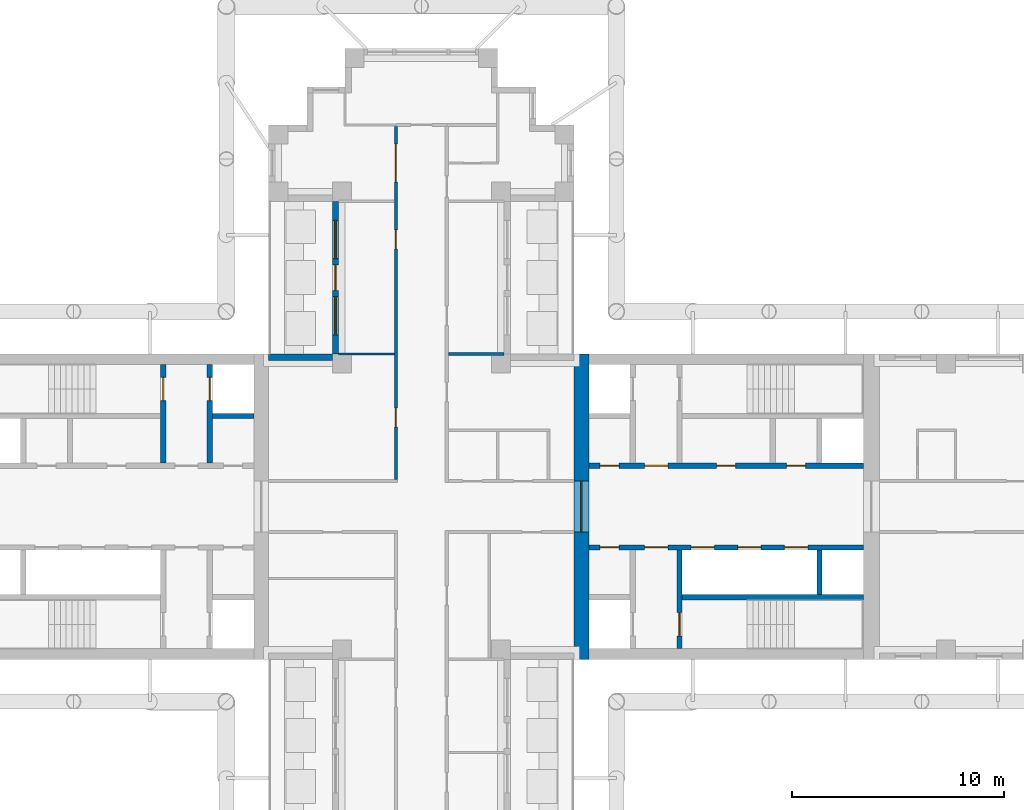
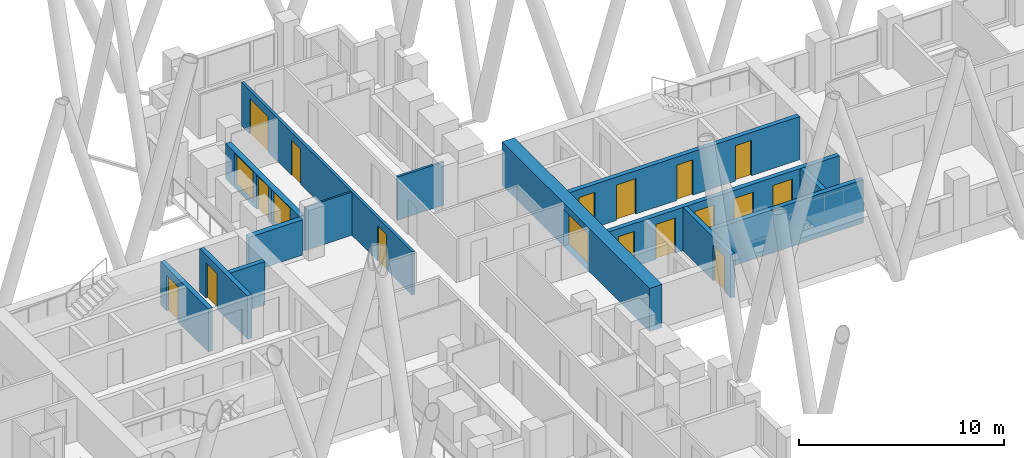
# One storey, part 8 of 14: 17 doors, 14 walls, 2 windows, 19 openings.
"""IFC4 building model written with IfcOpenShell, lengths in metres."""

import ifcopenshell
import ifcopenshell.guid

model = None  # the IFC model being written
_history = None  # IfcOwnerHistory: only IFC2X3 demands one
_inside = {}  # id of a spatial element -> (the spatial element, [elements in it])
_under = {}  # id of a project, library or spatial element -> (it, [spatial elements below it])
_declared = {}  # id of a project -> (the project, [libraries it declares])
_typed = {}  # id of a type object -> (the type object, [elements of that type])
_made_of = {}  # id of a material, layer set ... -> (it, [elements and type objects made of it])


def new_model(schema):
    """Start an empty IFC model of exactly this schema.

    Asked for "IFC4X3", IfcOpenShell would pick the latest addendum, in which some entities
    have other attributes; the version numbers below select the first issue.
    IFC2X3 requires an IfcOwnerHistory on every rooted entity: one is made here for all.
    """
    global model, _history
    if schema == "IFC4X3":
        model = ifcopenshell.file(schema_version=(4, 3, 0, 0))
    else:
        model = ifcopenshell.file(schema=schema)
    _inside.clear()
    _under.clear()
    _declared.clear()
    _typed.clear()
    _made_of.clear()
    _history = None
    if model.schema == "IFC2X3":
        org = make("IfcOrganization", Name="unknown")
        user = make(
            "IfcPersonAndOrganization",
            ThePerson=make("IfcPerson", FamilyName="unknown"),
            TheOrganization=org,
        )
        app = make(
            "IfcApplication",
            ApplicationDeveloper=org,
            Version="unknown",
            ApplicationFullName="unknown",
            ApplicationIdentifier="unknown",
        )
        _history = make(
            "IfcOwnerHistory",
            OwningUser=user,
            OwningApplication=app,
            ChangeAction="ADDED",
            CreationDate=0,
        )
    return model


def make(cls, **values):
    """One entity of the class cls with the attributes given. An attribute that is None is left unset."""
    return model.create_entity(
        cls, **{name: value for name, value in values.items() if value is not None}
    )


def rooted(cls, **values):
    """An entity with a GlobalId (a new one), such as an element, a storey or a relation."""
    return make(cls, GlobalId=ifcopenshell.guid.new(), OwnerHistory=_history, **values)


def si_unit(unit_type, name, prefix=None):
    """IfcSIUnit, for example si_unit("LENGTHUNIT", "METRE", prefix="MILLI")."""
    return make("IfcSIUnit", UnitType=unit_type, Prefix=prefix, Name=name)


def assignment(units):
    """IfcUnitAssignment: the units of a project."""
    return None if units is None else make("IfcUnitAssignment", Units=units)


def point(xyz):
    """IfcCartesianPoint."""
    return None if xyz is None else make("IfcCartesianPoint", Coordinates=xyz)


def direction(xyz):
    """IfcDirection."""
    return None if xyz is None else make("IfcDirection", DirectionRatios=xyz)


def frame(location, z_axis=None, x_axis=None):
    """IfcAxis2Placement3D, a coordinate frame: its origin and axes. An axis left out is left unset."""
    return make(
        "IfcAxis2Placement3D",
        Location=point(location),
        Axis=direction(z_axis),
        RefDirection=direction(x_axis),
    )


def frame_2d(location, x_axis=None):
    """IfcAxis2Placement2D, a coordinate frame in the plane: its origin and x axis."""
    return make(
        "IfcAxis2Placement2D", Location=point(location), RefDirection=direction(x_axis)
    )


def origin():
    """The frame at (0, 0, 0) with its axes left unset."""
    return frame((0.0, 0.0, 0.0))


def place(relative_to, where):
    """IfcLocalPlacement: puts the frame where relative to a parent placement (None: the world)."""
    return make(
        "IfcLocalPlacement", PlacementRelTo=relative_to, RelativePlacement=where
    )


def context(
    kind, dimensions, precision=None, world=None, true_north=None, identifier=None
):
    """IfcGeometricRepresentationContext, for example the 3D "Model" context."""
    return make(
        "IfcGeometricRepresentationContext",
        ContextIdentifier=identifier,
        ContextType=kind,
        CoordinateSpaceDimension=dimensions,
        Precision=precision,
        WorldCoordinateSystem=world,
        TrueNorth=true_north,
    )


def subcontext(parent, identifier, kind, view, scale=None):
    """IfcGeometricRepresentationSubContext, for example "Body" below "Model"."""
    return make(
        "IfcGeometricRepresentationSubContext",
        ContextIdentifier=identifier,
        ContextType=kind,
        ParentContext=parent,
        TargetScale=scale,
        TargetView=view,
    )


def project(units=None, contexts=None):
    """IfcProject with its units and contexts."""
    return rooted(
        "IfcProject",
        Name="project",
        RepresentationContexts=contexts,
        UnitsInContext=assignment(units),
    )


def spatial(cls, under=None, at=None, **own):
    """A site, building, storey or space (cls), placed at a placement, below another one or the project."""
    s = rooted(cls, ObjectPlacement=at, **own)
    if under is not None:
        _under.setdefault(under.id(), (under, []))[1].append(s)
    return s


def profile(cls, at=None, kind="AREA", **sizes):
    """A parametric profile (cls). Its sizes go by their IFC names, for example OverallWidth=200.0."""
    return make(cls, ProfileType=kind, Position=at, **sizes)


def rectangle(**sizes):
    """IfcRectangleProfileDef."""
    return profile("IfcRectangleProfileDef", **sizes)


def extrude(swept, where, along, depth):
    """IfcExtrudedAreaSolid: the profile swept, set in the frame where, extruded along a direction by depth."""
    return make(
        "IfcExtrudedAreaSolid",
        SweptArea=swept,
        Position=where,
        ExtrudedDirection=direction(along),
        Depth=depth,
    )


def shape(context_of_items, identifier, shape_type, items):
    """IfcShapeRepresentation: the items that make up one representation, for example the "Body"."""
    return make(
        "IfcShapeRepresentation",
        ContextOfItems=context_of_items,
        RepresentationIdentifier=identifier,
        RepresentationType=shape_type,
        Items=items,
    )


def material(Name=None, Category=None):
    """IfcMaterial."""
    return make("IfcMaterial", Name=Name, Category=Category)


def layer(
    of_material, thickness, ventilated=None, Name=None, Category=None, Priority=None
):
    """IfcMaterialLayer: one layer of a wall or slab, of a material (None: an air gap)."""
    return make(
        "IfcMaterialLayer",
        Material=of_material,
        LayerThickness=thickness,
        IsVentilated=ventilated,
        Name=Name,
        Category=Category,
        Priority=Priority,
    )


def layer_set(layers, Name=None):
    """IfcMaterialLayerSet."""
    return make("IfcMaterialLayerSet", MaterialLayers=layers, LayerSetName=Name)


def made_of(thing, what):
    """Note that an element or type object is made of a material, layer set ...; save() writes the relation."""
    if what is not None:
        _made_of.setdefault(what.id(), (what, []))[1].append(thing)
    return thing


def type_object(cls, material=None, **own):
    """A type object (cls), such as IfcWallType, which elements share."""
    return made_of(rooted(cls, **own), material)


def element(
    cls,
    number,
    at=None,
    inside=None,
    cuts=None,
    type_object=None,
    material=None,
    context=None,
    identifier="Body",
    shape_type=None,
    held_by="IfcProductDefinitionShape",
    body=None,
    shapes=None,
    **own,
):
    """One element of the class cls, such as IfcWall. Its Tag is "e" and its number.

    at: its placement. inside: the storey or other place that contains it. cuts: it is an
    opening in that element (IfcRelVoidsElement). A single representation is given by context,
    identifier, shape_type and body (its items); several are given by shapes. held_by: the class
    of the entity that holds the representations. save() writes the other relations.
    """
    e = rooted(cls, Tag="e%d" % number, ObjectPlacement=at, **own)
    if body is not None:
        shapes = [shape(context, identifier, shape_type, body)]
    if shapes is not None:
        e.Representation = make(held_by, Representations=shapes)
    if inside is not None:
        _inside.setdefault(inside.id(), (inside, []))[1].append(e)
    if cuts is not None:
        rooted(
            "IfcRelVoidsElement", RelatingBuildingElement=cuts, RelatedOpeningElement=e
        )
    if type_object is not None:
        _typed.setdefault(type_object.id(), (type_object, []))[1].append(e)
    return made_of(e, material)


def fill(opening, filler):
    """IfcRelFillsElement: the door or window that sits in an opening."""
    return rooted(
        "IfcRelFillsElement",
        RelatingOpeningElement=opening,
        RelatedBuildingElement=filler,
    )


def aggregate(whole, parts):
    """IfcRelAggregates: a whole, such as a stair, and the parts it consists of."""
    return rooted("IfcRelAggregates", RelatingObject=whole, RelatedObjects=parts)


def save(model, path):
    """Write the relations noted so far, then the file.

    IfcRelAggregates (storeys below a building ...), IfcRelContainedInSpatialStructure (elements
    in a storey), IfcRelDefinesByType, IfcRelAssociatesMaterial and IfcRelDeclares: one each for
    every whole, place, type object, material and project.
    """
    for whole, parts in _under.values():
        aggregate(whole, parts)
    for where, things in _inside.values():
        rooted(
            "IfcRelContainedInSpatialStructure",
            RelatedElements=things,
            RelatingStructure=where,
        )
    for kind, things in _typed.values():
        rooted("IfcRelDefinesByType", RelatedObjects=things, RelatingType=kind)
    for what, things in _made_of.values():
        rooted("IfcRelAssociatesMaterial", RelatedObjects=things, RelatingMaterial=what)
    for by, libraries in _declared.values():
        rooted("IfcRelDeclares", RelatingContext=by, RelatedDefinitions=libraries)
    model.write(path)


model = new_model("IFC4")

# Units and contexts
model_context = context("Model", 3, precision=1e-05, world=origin(), true_north=direction((0.0, 1.0)))
body_context = subcontext(model_context, "Body", "Model", "MODEL_VIEW")
ifc_project = project(units=[si_unit("LENGTHUNIT", "METRE"), si_unit("AREAUNIT", "SQUARE_METRE"), si_unit("VOLUMEUNIT", "CUBIC_METRE"), si_unit("PLANEANGLEUNIT", "RADIAN"), si_unit("MASSUNIT", "GRAM", prefix="KILO")], contexts=[model_context])

# Site, building, storey
site_placement = place(None, origin())
site = spatial("IfcSite", under=ifc_project, at=site_placement, CompositionType="ELEMENT")
building_placement = place(site_placement, origin())
building = spatial("IfcBuilding", under=site, at=building_placement, Name="Fustian Cross Tower", CompositionType="ELEMENT")
storey_placement = place(building_placement, frame((0.0, 0.0, 90.89990234375)))
storey = spatial("IfcBuildingStorey", under=building, at=storey_placement, Name="L28", CompositionType="ELEMENT", Elevation=90.89990234375)

# Wall, openings, doors
ifc_material_1 = material(Name="Plasterboard on steel stud", Category="steel")
ifc_layer_1 = layer(ifc_material_1, 0.14990234375)
ifc_layer_set_1 = layer_set([ifc_layer_1], Name="Plasterboard on steel stud")
wall_type_1 = type_object("IfcWallType", Name="COMPARTMENT WALL 150 EI 60", PredefinedType="PARTITIONING", material=ifc_layer_set_1)
wall_1_placement = place(storey_placement, frame((-1.199951171875, 1.27490234375, 0.0), z_axis=(0.0, 0.0, 1.0), x_axis=(0.0, 1.0, 0.0)))
wall_1 = element("IfcWall", 1, at=wall_1_placement, inside=storey, type_object=wall_type_1, Name="Partition 39", PredefinedType="PARTITIONING", context=body_context, shape_type="SweptSolid", body=[
    extrude(rectangle(XDim=16.650146484375, YDim=0.14990234375, at=frame_2d((8.3251953125, 0.0))), origin(), (0.0, 0.0, 1.0), 2.5751953125),
])
opening_1_placement = place(wall_1_placement, frame((2.47509765625, 0.0, 0.0)))
opening_1 = element("IfcOpeningElement", 2, at=opening_1_placement, cuts=wall_1, Name="Opening D13004", PredefinedType="OPENING", context=body_context, shape_type="SweptSolid", body=[
    extrude(rectangle(XDim=0.89990234375, YDim=2.10009765625, at=frame_2d((0.449951171875, 1.050048828125))), frame((0.0, 0.0849609375, 0.0), z_axis=(0.0, -1.0, 0.0), x_axis=(1.0, 0.0, 0.0)), (0.0, 0.0, 1.0), 0.169921875),
])
opening_2_placement = place(wall_1_placement, frame((10.875, 0.0, 0.0)))
opening_2 = element("IfcOpeningElement", 3, at=opening_2_placement, cuts=wall_1, Name="Opening D13018", PredefinedType="OPENING", context=body_context, shape_type="SweptSolid", body=[
    extrude(rectangle(XDim=0.89990234375, YDim=2.10009765625, at=frame_2d((0.449951171875, 1.050048828125))), frame((0.0, 0.0849609375, 0.0), z_axis=(0.0, -1.0, 0.0), x_axis=(1.0, 0.0, 0.0)), (0.0, 0.0, 1.0), 0.169921875),
])
opening_3_placement = place(wall_1_placement, frame((14.02490234375, 0.0, 0.0)))
opening_3 = element("IfcOpeningElement", 4, at=opening_3_placement, cuts=wall_1, Name="Opening D13019", PredefinedType="OPENING", context=body_context, shape_type="SweptSolid", body=[
    extrude(rectangle(XDim=1.800048828125, YDim=2.10009765625, at=frame_2d((0.89990234375, 1.050048828125))), frame((0.0, 0.0849609375, 0.0), z_axis=(0.0, -1.0, 0.0), x_axis=(1.0, 0.0, 0.0)), (0.0, 0.0, 1.0), 0.169921875),
])
ifc_material_2 = material(Name="Timber fire door set", Category="wood")
door_type_1 = type_object("IfcDoorType", Name="FIRE DOUBLE DOOR 1800 FD30S", OperationType="DOUBLE_DOOR_DOUBLE_SWING", PredefinedType="DOOR", material=ifc_material_2)
door_1_placement = place(opening_3_placement, frame((1.800048828125, 0.0, 0.0), z_axis=(0.0, 0.0, 1.0), x_axis=(-1.0, 0.0, 0.0)))
door_1 = element("IfcDoor", 5, at=door_1_placement, inside=storey, type_object=door_type_1, Name="Door D13019", OperationType="DOUBLE_DOOR_DOUBLE_SWING", OverallHeight=2.10009765625, OverallWidth=1.800048828125, PredefinedType="DOOR", context=body_context, shape_type="SweptSolid", body=[
    extrude(rectangle(XDim=1.800048828125, YDim=2.10009765625, at=frame_2d((0.89990234375, 1.050048828125))), frame((0.0, 0.02490234375, 0.0), z_axis=(0.0, -1.0, 0.0), x_axis=(1.0, 0.0, 0.0)), (0.0, 0.0, 1.0), 0.050048828125),
])
fill(opening_3, door_1)
ifc_material_3 = material(Name="Timber fire door set", Category="wood")
door_type_2 = type_object("IfcDoorType", Name="FIRE SWING DOOR 900 FD30S", OperationType="SINGLE_SWING_LEFT", PredefinedType="DOOR", material=ifc_material_3)
door_2_placement = place(opening_1_placement, origin())
door_2 = element("IfcDoor", 6, at=door_2_placement, inside=storey, type_object=door_type_2, Name="Door D13004", OperationType="SINGLE_SWING_LEFT", OverallHeight=2.10009765625, OverallWidth=0.89990234375, PredefinedType="DOOR", context=body_context, shape_type="SweptSolid", body=[
    extrude(rectangle(XDim=0.89990234375, YDim=2.10009765625, at=frame_2d((0.449951171875, 1.050048828125))), frame((0.0, 0.02490234375, 0.0), z_axis=(0.0, -1.0, 0.0), x_axis=(1.0, 0.0, 0.0)), (0.0, 0.0, 1.0), 0.050048828125),
])
fill(opening_1, door_2)
door_3_placement = place(opening_2_placement, origin())
door_3 = element("IfcDoor", 7, at=door_3_placement, inside=storey, type_object=door_type_2, Name="Door D13018", OperationType="SINGLE_SWING_RIGHT", OverallHeight=2.10009765625, OverallWidth=0.89990234375, PredefinedType="DOOR", context=body_context, shape_type="SweptSolid", body=[
    extrude(rectangle(XDim=0.89990234375, YDim=2.10009765625, at=frame_2d((0.449951171875, 1.050048828125))), frame((0.0, 0.02490234375, 0.0), z_axis=(0.0, -1.0, 0.0), x_axis=(1.0, 0.0, 0.0)), (0.0, 0.0, 1.0), 0.050048828125),
])
fill(opening_2, door_3)

# Wall, opening, door
ifc_material_4 = material(Name="Concrete C70/85", Category="concrete")
ifc_layer_2 = layer(ifc_material_4, 0.699951171875)
ifc_layer_set_2 = layer_set([ifc_layer_2], Name="Concrete C70/85")
wall_type_2 = type_object("IfcWallType", Name="CORE END WALL 700 C70/85", PredefinedType="SHEAR", material=ifc_layer_set_2)
wall_2_placement = place(storey_placement, frame((7.550048828125, -7.199951171875, 0.0), z_axis=(0.0, 0.0, 1.0), x_axis=(0.0, 1.0, 0.0)))
wall_2 = element("IfcWall", 8, at=wall_2_placement, inside=storey, type_object=wall_type_2, Name="Core end wall", PredefinedType="SHEAR", context=body_context, shape_type="SweptSolid", body=[
    extrude(rectangle(XDim=14.39990234375, YDim=0.699951171875, at=frame_2d((7.199951171875, 0.0))), origin(), (0.0, 0.0, 1.0), 2.5751953125),
])
opening_4_placement = place(wall_2_placement, frame((6.0, 0.0, 0.0)))
opening_4 = element("IfcOpeningElement", 9, at=opening_4_placement, cuts=wall_2, Name="Opening CD-11-12", PredefinedType="OPENING", context=body_context, shape_type="SweptSolid", body=[
    extrude(rectangle(XDim=2.39990234375, YDim=2.199951171875, at=frame_2d((1.199951171875, 1.10009765625))), frame((0.0, 0.35986328125, 0.0), z_axis=(0.0, -1.0, 0.0), x_axis=(1.0, 0.0, 0.0)), (0.0, 0.0, 1.0), 0.719970703125),
])
ifc_material_5 = material(Name="Steel", Category="steel")
door_type_3 = type_object("IfcDoorType", Name="FIRE DOOR FD30S DOUBLE 2400X2200", OperationType="DOUBLE_DOOR_DOUBLE_SWING", PredefinedType="DOOR", material=ifc_material_5)
door_4_placement = place(opening_4_placement, frame((2.39990234375, 0.0, 0.0), z_axis=(0.0, 0.0, 1.0), x_axis=(-1.0, 0.0, 0.0)))
door_4 = element("IfcDoor", 10, at=door_4_placement, inside=storey, type_object=door_type_3, Name="Core door CD-11-12", OperationType="DOUBLE_DOOR_DOUBLE_SWING", OverallHeight=2.199951171875, OverallWidth=2.39990234375, PredefinedType="DOOR", context=body_context, shape_type="SweptSolid", body=[
    extrude(rectangle(XDim=2.39990234375, YDim=2.199951171875, at=frame_2d((1.199951171875, 1.10009765625))), frame((0.0, 0.02490234375, 0.0), z_axis=(0.0, -1.0, 0.0), x_axis=(1.0, 0.0, 0.0)), (0.0, 0.0, 1.0), 0.050048828125),
])
fill(opening_4, door_4)

# Wall, openings, doors
ifc_material_6 = material(Name="Concrete C50/60", Category="concrete")
ifc_layer_3 = layer(ifc_material_6, 0.25)
ifc_layer_set_3 = layer_set([ifc_layer_3], Name="Concrete C50/60")
wall_type_3 = type_object("IfcWallType", Name="CORE LOBBY WALL 250 C50/60", PredefinedType="SHEAR", material=ifc_layer_set_3)
wall_3_placement = place(storey_placement, frame((7.89990234375, 1.925048828125, 0.0), z_axis=(0.0, 0.0, 1.0), x_axis=(1.0, 0.0, 0.0)))
wall_3 = element("IfcWall", 11, at=wall_3_placement, inside=storey, type_object=wall_type_3, Name="Core lobby wall", PredefinedType="SHEAR", context=body_context, shape_type="SweptSolid", body=[
    extrude(rectangle(XDim=12.9501953125, YDim=0.25, at=frame_2d((6.47509765625, 0.0))), origin(), (0.0, 0.0, 1.0), 2.5751953125),
])
opening_5_placement = place(wall_3_placement, frame((0.52490234375, 0.0, 0.0)))
opening_5 = element("IfcOpeningElement", 12, at=opening_5_placement, cuts=wall_3, Name="Opening CD-11-08", PredefinedType="OPENING", context=body_context, shape_type="SweptSolid", body=[
    extrude(rectangle(XDim=0.89990234375, YDim=2.10009765625, at=frame_2d((0.449951171875, 1.050048828125))), frame((0.0, 0.135009765625, 0.0), z_axis=(0.0, -1.0, 0.0), x_axis=(1.0, 0.0, 0.0)), (0.0, 0.0, 1.0), 0.27001953125),
])
opening_6_placement = place(wall_3_placement, frame((2.625, 0.0, 0.0)))
opening_6 = element("IfcOpeningElement", 13, at=opening_6_placement, cuts=wall_3, Name="Opening CD-11-10", PredefinedType="OPENING", context=body_context, shape_type="SweptSolid", body=[
    extrude(rectangle(XDim=1.10009765625, YDim=2.10009765625, at=frame_2d((0.550048828125, 1.050048828125))), frame((0.0, 0.135009765625, 0.0), z_axis=(0.0, -1.0, 0.0), x_axis=(1.0, 0.0, 0.0)), (0.0, 0.0, 1.0), 0.27001953125),
])
opening_7_placement = place(wall_3_placement, frame((6.02490234375, 0.0, 0.0)))
opening_7 = element("IfcOpeningElement", 14, at=opening_7_placement, cuts=wall_3, Name="Opening CD-11-14", PredefinedType="OPENING", context=body_context, shape_type="SweptSolid", body=[
    extrude(rectangle(XDim=0.89990234375, YDim=2.10009765625, at=frame_2d((0.449951171875, 1.050048828125))), frame((0.0, 0.135009765625, 0.0), z_axis=(0.0, -1.0, 0.0), x_axis=(1.0, 0.0, 0.0)), (0.0, 0.0, 1.0), 0.27001953125),
])
opening_8_placement = place(wall_3_placement, frame((9.324951171875, 0.0, 0.0)))
opening_8 = element("IfcOpeningElement", 15, at=opening_8_placement, cuts=wall_3, Name="Opening CD-11-15", PredefinedType="OPENING", context=body_context, shape_type="SweptSolid", body=[
    extrude(rectangle(XDim=0.89990234375, YDim=2.10009765625, at=frame_2d((0.449951171875, 1.050048828125))), frame((0.0, 0.135009765625, 0.0), z_axis=(0.0, -1.0, 0.0), x_axis=(1.0, 0.0, 0.0)), (0.0, 0.0, 1.0), 0.27001953125),
])
ifc_material_7 = material(Name="Steel", Category="steel")
door_type_4 = type_object("IfcDoorType", Name="FIRE DOOR FD30S 900X2100", OperationType="SINGLE_SWING_LEFT", PredefinedType="DOOR", material=ifc_material_7)
door_5_placement = place(opening_7_placement, origin())
door_5 = element("IfcDoor", 16, at=door_5_placement, inside=storey, type_object=door_type_4, Name="Core door CD-11-14", OperationType="SINGLE_SWING_RIGHT", OverallHeight=2.10009765625, OverallWidth=0.89990234375, PredefinedType="DOOR", context=body_context, shape_type="SweptSolid", body=[
    extrude(rectangle(XDim=0.89990234375, YDim=2.10009765625, at=frame_2d((0.449951171875, 1.050048828125))), frame((0.0, 0.02490234375, 0.0), z_axis=(0.0, -1.0, 0.0), x_axis=(1.0, 0.0, 0.0)), (0.0, 0.0, 1.0), 0.050048828125),
])
fill(opening_7, door_5)
door_6_placement = place(opening_8_placement, origin())
door_6 = element("IfcDoor", 17, at=door_6_placement, inside=storey, type_object=door_type_4, Name="Core door CD-11-15", OperationType="SINGLE_SWING_LEFT", OverallHeight=2.10009765625, OverallWidth=0.89990234375, PredefinedType="DOOR", context=body_context, shape_type="SweptSolid", body=[
    extrude(rectangle(XDim=0.89990234375, YDim=2.10009765625, at=frame_2d((0.449951171875, 1.050048828125))), frame((0.0, 0.02490234375, 0.0), z_axis=(0.0, -1.0, 0.0), x_axis=(1.0, 0.0, 0.0)), (0.0, 0.0, 1.0), 0.050048828125),
])
fill(opening_8, door_6)
ifc_material_8 = material(Name="Steel", Category="steel")
door_type_5 = type_object("IfcDoorType", Name="FIRE DOOR FD60S 1100X2100", OperationType="SINGLE_SWING_LEFT", PredefinedType="DOOR", material=ifc_material_8)
door_7_placement = place(opening_6_placement, frame((1.10009765625, 0.0, 0.0), z_axis=(0.0, 0.0, 1.0), x_axis=(-1.0, 0.0, 0.0)))
door_7 = element("IfcDoor", 18, at=door_7_placement, inside=storey, type_object=door_type_5, Name="Core door CD-11-10", OperationType="SINGLE_SWING_RIGHT", OverallHeight=2.10009765625, OverallWidth=1.10009765625, PredefinedType="DOOR", context=body_context, shape_type="SweptSolid", body=[
    extrude(rectangle(XDim=1.10009765625, YDim=2.10009765625, at=frame_2d((0.550048828125, 1.050048828125))), frame((0.0, 0.02490234375, 0.0), z_axis=(0.0, -1.0, 0.0), x_axis=(1.0, 0.0, 0.0)), (0.0, 0.0, 1.0), 0.050048828125),
])
fill(opening_6, door_7)
ifc_material_9 = material(Name="Steel", Category="steel")
door_type_6 = type_object("IfcDoorType", Name="FIRE DOOR FD60S 900X2100", OperationType="SINGLE_SWING_LEFT", PredefinedType="DOOR", material=ifc_material_9)
door_8_placement = place(opening_5_placement, origin())
door_8 = element("IfcDoor", 19, at=door_8_placement, inside=storey, type_object=door_type_6, Name="Core door CD-11-08", OperationType="SINGLE_SWING_LEFT", OverallHeight=2.10009765625, OverallWidth=0.89990234375, PredefinedType="DOOR", context=body_context, shape_type="SweptSolid", body=[
    extrude(rectangle(XDim=0.89990234375, YDim=2.10009765625, at=frame_2d((0.449951171875, 1.050048828125))), frame((0.0, 0.02490234375, 0.0), z_axis=(0.0, -1.0, 0.0), x_axis=(1.0, 0.0, 0.0)), (0.0, 0.0, 1.0), 0.050048828125),
])
fill(opening_5, door_8)

wall_4_placement = place(storey_placement, frame((7.89990234375, -1.925048828125, 0.0), z_axis=(0.0, 0.0, 1.0), x_axis=(1.0, 0.0, 0.0)))
wall_4 = element("IfcWall", 20, at=wall_4_placement, inside=storey, type_object=wall_type_3, Name="Core lobby wall", PredefinedType="SHEAR", context=body_context, shape_type="SweptSolid", body=[
    extrude(rectangle(XDim=12.9501953125, YDim=0.25, at=frame_2d((6.47509765625, 0.0))), origin(), (0.0, 0.0, 1.0), 2.5751953125),
])
opening_9_placement = place(wall_4_placement, frame((4.824951171875, 0.0, 0.0)))
opening_9 = element("IfcOpeningElement", 21, at=opening_9_placement, cuts=wall_4, Name="Opening LD", PredefinedType="OPENING", context=body_context, shape_type="SweptSolid", body=[
    extrude(rectangle(XDim=1.10009765625, YDim=2.10009765625, at=frame_2d((0.550048828125, 1.050048828125))), frame((0.0, 0.135009765625, 0.0), z_axis=(0.0, -1.0, 0.0), x_axis=(1.0, 0.0, 0.0)), (0.0, 0.0, 1.0), 0.27001953125),
])
opening_10_placement = place(wall_4_placement, frame((7.02490234375, 0.0, 0.0)))
opening_10 = element("IfcOpeningElement", 22, at=opening_10_placement, cuts=wall_4, Name="Opening LD", PredefinedType="OPENING", context=body_context, shape_type="SweptSolid", body=[
    extrude(rectangle(XDim=1.10009765625, YDim=2.10009765625, at=frame_2d((0.550048828125, 1.050048828125))), frame((0.0, 0.135009765625, 0.0), z_axis=(0.0, -1.0, 0.0), x_axis=(1.0, 0.0, 0.0)), (0.0, 0.0, 1.0), 0.27001953125),
])
opening_11_placement = place(wall_4_placement, frame((9.22509765625, 0.0, 0.0)))
opening_11 = element("IfcOpeningElement", 23, at=opening_11_placement, cuts=wall_4, Name="Opening LD", PredefinedType="OPENING", context=body_context, shape_type="SweptSolid", body=[
    extrude(rectangle(XDim=1.10009765625, YDim=2.10009765625, at=frame_2d((0.550048828125, 1.050048828125))), frame((0.0, 0.135009765625, 0.0), z_axis=(0.0, -1.0, 0.0), x_axis=(1.0, 0.0, 0.0)), (0.0, 0.0, 1.0), 0.27001953125),
])
opening_12_placement = place(wall_4_placement, frame((0.52490234375, 0.0, 0.0)))
opening_12 = element("IfcOpeningElement", 24, at=opening_12_placement, cuts=wall_4, Name="Opening CD-11-09", PredefinedType="OPENING", context=body_context, shape_type="SweptSolid", body=[
    extrude(rectangle(XDim=0.89990234375, YDim=2.10009765625, at=frame_2d((0.449951171875, 1.050048828125))), frame((0.0, 0.135009765625, 0.0), z_axis=(0.0, -1.0, 0.0), x_axis=(1.0, 0.0, 0.0)), (0.0, 0.0, 1.0), 0.27001953125),
])
opening_13_placement = place(wall_4_placement, frame((2.625, 0.0, 0.0)))
opening_13 = element("IfcOpeningElement", 25, at=opening_13_placement, cuts=wall_4, Name="Opening CD-11-11", PredefinedType="OPENING", context=body_context, shape_type="SweptSolid", body=[
    extrude(rectangle(XDim=1.10009765625, YDim=2.10009765625, at=frame_2d((0.550048828125, 1.050048828125))), frame((0.0, 0.135009765625, 0.0), z_axis=(0.0, -1.0, 0.0), x_axis=(1.0, 0.0, 0.0)), (0.0, 0.0, 1.0), 0.27001953125),
])
ifc_material_10 = material(Name="Steel", Category="steel")
door_type_7 = type_object("IfcDoorType", Name="FIRE DOOR FD30S 1100X2100", OperationType="SINGLE_SWING_LEFT", PredefinedType="DOOR", material=ifc_material_10)
door_9_placement = place(opening_13_placement, frame((1.10009765625, 0.0, 0.0), z_axis=(0.0, 0.0, 1.0), x_axis=(-1.0, 0.0, 0.0)))
door_9 = element("IfcDoor", 26, at=door_9_placement, inside=storey, type_object=door_type_7, Name="Core door CD-11-11", OperationType="SINGLE_SWING_RIGHT", OverallHeight=2.10009765625, OverallWidth=1.10009765625, PredefinedType="DOOR", context=body_context, shape_type="SweptSolid", body=[
    extrude(rectangle(XDim=1.10009765625, YDim=2.10009765625, at=frame_2d((0.550048828125, 1.050048828125))), frame((0.0, 0.02490234375, 0.0), z_axis=(0.0, -1.0, 0.0), x_axis=(1.0, 0.0, 0.0)), (0.0, 0.0, 1.0), 0.050048828125),
])
fill(opening_13, door_9)
door_10_placement = place(opening_12_placement, frame((0.89990234375, 0.0, 0.0), z_axis=(0.0, 0.0, 1.0), x_axis=(-1.0, 0.0, 0.0)))
door_10 = element("IfcDoor", 27, at=door_10_placement, inside=storey, type_object=door_type_4, Name="Core door CD-11-09", OperationType="SINGLE_SWING_RIGHT", OverallHeight=2.10009765625, OverallWidth=0.89990234375, PredefinedType="DOOR", context=body_context, shape_type="SweptSolid", body=[
    extrude(rectangle(XDim=0.89990234375, YDim=2.10009765625, at=frame_2d((0.449951171875, 1.050048828125))), frame((0.0, 0.02490234375, 0.0), z_axis=(0.0, -1.0, 0.0), x_axis=(1.0, 0.0, 0.0)), (0.0, 0.0, 1.0), 0.050048828125),
])
fill(opening_12, door_10)
ifc_material_11 = material(Name="Stainless steel", Category="steel")
door_type_8 = type_object("IfcDoorType", Name="LIFT LANDING DOOR 1100X2100", OperationType="SLIDING_TO_LEFT", PredefinedType="DOOR", material=ifc_material_11)
door_11_placement = place(opening_9_placement, origin())
door_11 = element("IfcDoor", 28, at=door_11_placement, inside=storey, type_object=door_type_8, Name="Landing door LR1", OperationType="SLIDING_TO_LEFT", OverallHeight=2.10009765625, OverallWidth=1.10009765625, PredefinedType="DOOR", context=body_context, shape_type="SweptSolid", body=[
    extrude(rectangle(XDim=1.10009765625, YDim=2.10009765625, at=frame_2d((0.550048828125, 1.050048828125))), frame((0.0, 0.02490234375, 0.0), z_axis=(0.0, -1.0, 0.0), x_axis=(1.0, 0.0, 0.0)), (0.0, 0.0, 1.0), 0.050048828125),
])
fill(opening_9, door_11)
door_12_placement = place(opening_10_placement, origin())
door_12 = element("IfcDoor", 29, at=door_12_placement, inside=storey, type_object=door_type_8, Name="Landing door LR2", OperationType="SLIDING_TO_LEFT", OverallHeight=2.10009765625, OverallWidth=1.10009765625, PredefinedType="DOOR", context=body_context, shape_type="SweptSolid", body=[
    extrude(rectangle(XDim=1.10009765625, YDim=2.10009765625, at=frame_2d((0.550048828125, 1.050048828125))), frame((0.0, 0.02490234375, 0.0), z_axis=(0.0, -1.0, 0.0), x_axis=(1.0, 0.0, 0.0)), (0.0, 0.0, 1.0), 0.050048828125),
])
fill(opening_10, door_12)
door_13_placement = place(opening_11_placement, origin())
door_13 = element("IfcDoor", 30, at=door_13_placement, inside=storey, type_object=door_type_8, Name="Landing door LR3", OperationType="SLIDING_TO_LEFT", OverallHeight=2.10009765625, OverallWidth=1.10009765625, PredefinedType="DOOR", context=body_context, shape_type="SweptSolid", body=[
    extrude(rectangle(XDim=1.10009765625, YDim=2.10009765625, at=frame_2d((0.550048828125, 1.050048828125))), frame((0.0, 0.02490234375, 0.0), z_axis=(0.0, -1.0, 0.0), x_axis=(1.0, 0.0, 0.0)), (0.0, 0.0, 1.0), 0.050048828125),
])
fill(opening_11, door_13)

# Wall
ifc_material_12 = material(Name="Concrete C50/60", Category="concrete")
ifc_layer_4 = layer(ifc_material_12, 0.25)
ifc_layer_set_4 = layer_set([ifc_layer_4], Name="Concrete C50/60")
wall_type_4 = type_object("IfcWallType", Name="CORE SHAFT WALL 250 C50/60", PredefinedType="SHEAR", material=ifc_layer_set_4)
wall_5_placement = place(storey_placement, frame((12.300048828125, -4.27490234375, 0.0), z_axis=(0.0, 0.0, 1.0), x_axis=(1.0, 0.0, 0.0)))
element("IfcWall", 31, at=wall_5_placement, inside=storey, type_object=wall_type_4, Name="Core shaft wall", PredefinedType="SHEAR", context=body_context, shape_type="SweptSolid", body=[
    extrude(rectangle(XDim=8.550048828125, YDim=0.25, at=frame_2d((4.27490234375, 0.0))), origin(), (0.0, 0.0, 1.0), 2.5751953125),
])

# Wall, opening, door
wall_6_placement = place(storey_placement, frame((12.175048828125, -2.050048828125, 0.0), z_axis=(0.0, 0.0, 1.0), x_axis=(0.0, -1.0, 0.0)))
wall_6 = element("IfcWall", 32, at=wall_6_placement, inside=storey, type_object=wall_type_4, Name="Core shaft wall", PredefinedType="SHEAR", context=body_context, shape_type="SweptSolid", body=[
    extrude(rectangle(XDim=4.64990234375, YDim=0.25, at=frame_2d((2.324951171875, 0.0))), origin(), (0.0, 0.0, 1.0), 2.5751953125),
])
opening_14_placement = place(wall_6_placement, frame((2.949951171875, 0.0, 0.0)))
opening_14 = element("IfcOpeningElement", 33, at=opening_14_placement, cuts=wall_6, Name="Opening CD-11-07", PredefinedType="OPENING", context=body_context, shape_type="SweptSolid", body=[
    extrude(rectangle(XDim=1.10009765625, YDim=2.10009765625, at=frame_2d((0.550048828125, 1.050048828125))), frame((0.0, 0.135009765625, 0.0), z_axis=(0.0, -1.0, 0.0), x_axis=(1.0, 0.0, 0.0)), (0.0, 0.0, 1.0), 0.27001953125),
])
door_14_placement = place(opening_14_placement, origin())
door_14 = element("IfcDoor", 34, at=door_14_placement, inside=storey, type_object=door_type_5, Name="Core door CD-11-07", OperationType="SINGLE_SWING_LEFT", OverallHeight=2.10009765625, OverallWidth=1.10009765625, PredefinedType="DOOR", context=body_context, shape_type="SweptSolid", body=[
    extrude(rectangle(XDim=1.10009765625, YDim=2.10009765625, at=frame_2d((0.550048828125, 1.050048828125))), frame((0.0, 0.02490234375, 0.0), z_axis=(0.0, -1.0, 0.0), x_axis=(1.0, 0.0, 0.0)), (0.0, 0.0, 1.0), 0.050048828125),
])
fill(opening_14, door_14)

# Wall
wall_7_placement = place(storey_placement, frame((-7.89990234375, 4.27490234375, 0.0), z_axis=(0.0, 0.0, 1.0), x_axis=(-1.0, 0.0, 0.0)))
element("IfcWall", 35, at=wall_7_placement, inside=storey, type_object=wall_type_4, Name="Core shaft wall", PredefinedType="SHEAR", context=body_context, shape_type="SweptSolid", body=[
    extrude(rectangle(XDim=1.9501953125, YDim=0.25, at=frame_2d((0.97509765625, 0.0))), origin(), (0.0, 0.0, 1.0), 2.5751953125),
])

# Wall, opening, door
wall_8_placement = place(storey_placement, frame((-9.97509765625, 2.050048828125, 0.0), z_axis=(0.0, 0.0, 1.0), x_axis=(0.0, 1.0, 0.0)))
wall_8 = element("IfcWall", 36, at=wall_8_placement, inside=storey, type_object=wall_type_4, Name="Core shaft wall", PredefinedType="SHEAR", context=body_context, shape_type="SweptSolid", body=[
    extrude(rectangle(XDim=4.64990234375, YDim=0.25, at=frame_2d((2.324951171875, 0.0))), origin(), (0.0, 0.0, 1.0), 2.5751953125),
])
opening_15_placement = place(wall_8_placement, frame((2.949951171875, 0.0, 0.0)))
opening_15 = element("IfcOpeningElement", 37, at=opening_15_placement, cuts=wall_8, Name="Opening LD", PredefinedType="OPENING", context=body_context, shape_type="SweptSolid", body=[
    extrude(rectangle(XDim=1.10009765625, YDim=2.10009765625, at=frame_2d((0.550048828125, 1.050048828125))), frame((0.0, 0.135009765625, 0.0), z_axis=(0.0, -1.0, 0.0), x_axis=(1.0, 0.0, 0.0)), (0.0, 0.0, 1.0), 0.27001953125),
])
door_15_placement = place(opening_15_placement, origin())
door_15 = element("IfcDoor", 38, at=door_15_placement, inside=storey, type_object=door_type_8, Name="Landing door FL1W", OperationType="SLIDING_TO_LEFT", OverallHeight=2.10009765625, OverallWidth=1.10009765625, PredefinedType="DOOR", context=body_context, shape_type="SweptSolid", body=[
    extrude(rectangle(XDim=1.10009765625, YDim=2.10009765625, at=frame_2d((0.550048828125, 1.050048828125))), frame((0.0, 0.02490234375, 0.0), z_axis=(0.0, -1.0, 0.0), x_axis=(1.0, 0.0, 0.0)), (0.0, 0.0, 1.0), 0.050048828125),
])
fill(opening_15, door_15)

wall_9_placement = place(storey_placement, frame((-12.175048828125, 2.050048828125, 0.0), z_axis=(0.0, 0.0, 1.0), x_axis=(0.0, 1.0, 0.0)))
wall_9 = element("IfcWall", 39, at=wall_9_placement, inside=storey, type_object=wall_type_4, Name="Core shaft wall", PredefinedType="SHEAR", context=body_context, shape_type="SweptSolid", body=[
    extrude(rectangle(XDim=4.64990234375, YDim=0.25, at=frame_2d((2.324951171875, 0.0))), origin(), (0.0, 0.0, 1.0), 2.5751953125),
])
opening_16_placement = place(wall_9_placement, frame((2.949951171875, 0.0, 0.0)))
opening_16 = element("IfcOpeningElement", 40, at=opening_16_placement, cuts=wall_9, Name="Opening CD-11-21", PredefinedType="OPENING", context=body_context, shape_type="SweptSolid", body=[
    extrude(rectangle(XDim=1.10009765625, YDim=2.10009765625, at=frame_2d((0.550048828125, 1.050048828125))), frame((0.0, 0.135009765625, 0.0), z_axis=(0.0, -1.0, 0.0), x_axis=(1.0, 0.0, 0.0)), (0.0, 0.0, 1.0), 0.27001953125),
])
door_16_placement = place(opening_16_placement, origin())
door_16 = element("IfcDoor", 41, at=door_16_placement, inside=storey, type_object=door_type_5, Name="Core door CD-11-21", OperationType="SINGLE_SWING_LEFT", OverallHeight=2.10009765625, OverallWidth=1.10009765625, PredefinedType="DOOR", context=body_context, shape_type="SweptSolid", body=[
    extrude(rectangle(XDim=1.10009765625, YDim=2.10009765625, at=frame_2d((0.550048828125, 1.050048828125))), frame((0.0, 0.02490234375, 0.0), z_axis=(0.0, -1.0, 0.0), x_axis=(1.0, 0.0, 0.0)), (0.0, 0.0, 1.0), 0.050048828125),
])
fill(opening_16, door_16)

# Walls
ifc_material_13 = material(Name="Plasterboard on steel stud", Category="steel")
ifc_layer_5 = layer(ifc_material_13, 0.10009765625)
ifc_layer_set_5 = layer_set([ifc_layer_5], Name="Plasterboard on steel stud")
wall_type_5 = type_object("IfcWallType", Name="PARTITION 100 STUD", PredefinedType="PARTITIONING", material=ifc_layer_set_5)
wall_10_placement = place(storey_placement, frame((-3.89990234375, 7.199951171875, 0.0), z_axis=(0.0, 0.0, 1.0), x_axis=(1.0, 0.0, 0.0)))
element("IfcWall", 42, at=wall_10_placement, inside=storey, type_object=wall_type_5, Name="Partition 33", PredefinedType="PARTITIONING", context=body_context, shape_type="SweptSolid", body=[
    extrude(rectangle(XDim=2.625, YDim=0.10009765625, at=frame_2d((1.3125, 0.0))), origin(), (0.0, 0.0, 1.0), 2.5751953125),
])
ifc_material_14 = material(Name="Concrete C40/50", Category="concrete")
ifc_layer_6 = layer(ifc_material_14, 0.25)
ifc_layer_set_6 = layer_set([ifc_layer_6], Name="Concrete C40/50")
wall_type_6 = type_object("IfcWallType", Name="SHAFT PARTITION WALL 250 C40/50", PredefinedType="PARTITIONING", material=ifc_layer_set_6)
wall_11_placement = place(storey_placement, frame((18.77490234375, -2.050048828125, 0.0), z_axis=(0.0, 0.0, 1.0), x_axis=(0.0, -1.0, 0.0)))
element("IfcWall", 43, at=wall_11_placement, inside=storey, type_object=wall_type_6, Name="Core shaft wall", PredefinedType="PARTITIONING", context=body_context, shape_type="SweptSolid", body=[
    extrude(rectangle(XDim=2.099853515625, YDim=0.25, at=frame_2d((1.0498046875, 0.0))), origin(), (0.0, 0.0, 1.0), 2.5751953125),
])
ifc_material_15 = material(Name="Plasterboard on steel stud", Category="steel")
ifc_layer_7 = layer(ifc_material_15, 0.125)
ifc_layer_set_7 = layer_set([ifc_layer_7], Name="Plasterboard on steel stud")
wall_type_7 = type_object("IfcWallType", Name="WET WALL 125 STUD", PredefinedType="PARTITIONING", material=ifc_layer_set_7)
wall_12_placement = place(storey_placement, frame((1.27490234375, 7.199951171875, 0.0), z_axis=(0.0, 0.0, 1.0), x_axis=(1.0, 0.0, 0.0)))
element("IfcWall", 44, at=wall_12_placement, inside=storey, type_object=wall_type_7, Name="Partition 52", PredefinedType="PARTITIONING", context=body_context, shape_type="SweptSolid", body=[
    extrude(rectangle(XDim=2.625, YDim=0.125, at=frame_2d((1.3125, 0.0))), origin(), (0.0, 0.0, 1.0), 2.5751953125),
])

# Wall, openings, door, windows
ifc_material_16 = material(Name="Dark aluminium cladding on insulated backing wall", Category="aluminium")
ifc_layer_8 = layer(ifc_material_16, 0.300048828125)
ifc_layer_set_8 = layer_set([ifc_layer_8], Name="Dark aluminium cladding on insulated backing wall")
wall_type_8 = type_object("IfcWallType", Name="XW1 EXTERNAL WALL 300", PredefinedType="SOLIDWALL", material=ifc_layer_set_8)
wall_13_placement = place(storey_placement, frame((-4.050048828125, 14.39990234375, 0.0), z_axis=(0.0, 0.0, 1.0), x_axis=(0.0, -1.0, 0.0)))
wall_13 = element("IfcWall", 45, at=wall_13_placement, inside=storey, type_object=wall_type_8, Name="External wall", PredefinedType="SOLIDWALL", context=body_context, shape_type="SweptSolid", body=[
    extrude(rectangle(XDim=7.199951171875, YDim=0.300048828125, at=frame_2d((3.60009765625, 0.0))), origin(), (0.0, 0.0, 1.0), 2.10009765625),
])
opening_17_placement = place(wall_13_placement, frame((3.0, 0.0, 0.0)))
opening_17 = element("IfcOpeningElement", 46, at=opening_17_placement, cuts=wall_13, Name="Opening XD2", PredefinedType="OPENING", context=body_context, shape_type="SweptSolid", body=[
    extrude(rectangle(XDim=1.199951171875, YDim=2.050048828125, at=frame_2d((0.60009765625, 1.02490234375))), frame((0.0, 0.159912109375, 0.0), z_axis=(0.0, -1.0, 0.0), x_axis=(1.0, 0.0, 0.0)), (0.0, 0.0, 1.0), 0.320068359375),
])
opening_18_placement = place(wall_13_placement, frame((0.89990234375, 0.0, 0.199951171875)))
opening_18 = element("IfcOpeningElement", 47, at=opening_18_placement, cuts=wall_13, Name="Opening WN2", PredefinedType="OPENING", context=body_context, shape_type="SweptSolid", body=[
    extrude(rectangle(XDim=1.800048828125, YDim=1.85009765625, at=frame_2d((0.89990234375, 0.925048828125))), frame((0.0, 0.159912109375, 0.0), z_axis=(0.0, -1.0, 0.0), x_axis=(1.0, 0.0, 0.0)), (0.0, 0.0, 1.0), 0.320068359375),
])
opening_19_placement = place(wall_13_placement, frame((4.5, 0.0, 0.199951171875)))
opening_19 = element("IfcOpeningElement", 48, at=opening_19_placement, cuts=wall_13, Name="Opening WN2", PredefinedType="OPENING", context=body_context, shape_type="SweptSolid", body=[
    extrude(rectangle(XDim=1.800048828125, YDim=1.85009765625, at=frame_2d((0.89990234375, 0.925048828125))), frame((0.0, 0.159912109375, 0.0), z_axis=(0.0, -1.0, 0.0), x_axis=(1.0, 0.0, 0.0)), (0.0, 0.0, 1.0), 0.320068359375),
])
ifc_material_17 = material(Name="Dark anodised aluminium and double glazing", Category="aluminium")
door_type_9 = type_object("IfcDoorType", Name="ED1 BALCONY DOOR 1200X2050", OperationType="SINGLE_SWING_LEFT", PredefinedType="DOOR", material=ifc_material_17)
door_17_placement = place(opening_17_placement, origin())
door_17 = element("IfcDoor", 49, at=door_17_placement, inside=storey, type_object=door_type_9, Name="Balcony door", OperationType="SINGLE_SWING_LEFT", OverallHeight=2.050048828125, OverallWidth=1.199951171875, PredefinedType="DOOR", context=body_context, shape_type="SweptSolid", body=[
    extrude(rectangle(XDim=1.199951171875, YDim=2.050048828125, at=frame_2d((0.60009765625, 1.02490234375))), frame((0.0, 0.02490234375, 0.0), z_axis=(0.0, -1.0, 0.0), x_axis=(1.0, 0.0, 0.0)), (0.0, 0.0, 1.0), 0.050048828125),
])
fill(opening_17, door_17)
ifc_material_18 = material(Name="Dark anodised aluminium and double glazing", Category="aluminium")
window_type = type_object("IfcWindowType", Name="WN2 WINDOW 1800X1850", PartitioningType="SINGLE_PANEL", PredefinedType="WINDOW", material=ifc_material_18)
window_1_placement = place(opening_18_placement, origin())
window_1 = element("IfcWindow", 50, at=window_1_placement, inside=storey, type_object=window_type, Name="Window", OverallHeight=1.85009765625, OverallWidth=1.800048828125, PartitioningType="SINGLE_PANEL", PredefinedType="WINDOW", context=body_context, shape_type="SweptSolid", body=[
    extrude(rectangle(XDim=1.800048828125, YDim=1.85009765625, at=frame_2d((0.89990234375, 0.925048828125))), frame((0.0, 0.030029296875, 0.0), z_axis=(0.0, -1.0, 0.0), x_axis=(1.0, 0.0, 0.0)), (0.0, 0.0, 1.0), 0.06005859375),
])
fill(opening_18, window_1)
window_2_placement = place(opening_19_placement, origin())
window_2 = element("IfcWindow", 51, at=window_2_placement, inside=storey, type_object=window_type, Name="Window", OverallHeight=1.85009765625, OverallWidth=1.800048828125, PartitioningType="SINGLE_PANEL", PredefinedType="WINDOW", context=body_context, shape_type="SweptSolid", body=[
    extrude(rectangle(XDim=1.800048828125, YDim=1.85009765625, at=frame_2d((0.89990234375, 0.925048828125))), frame((0.0, 0.030029296875, 0.0), z_axis=(0.0, -1.0, 0.0), x_axis=(1.0, 0.0, 0.0)), (0.0, 0.0, 1.0), 0.06005859375),
])
fill(opening_19, window_2)

# Wall
wall_14_placement = place(storey_placement, frame((-4.199951171875, 7.050048828125, 0.0), z_axis=(0.0, 0.0, 1.0), x_axis=(-1.0, 0.0, 0.0)))
element("IfcWall", 52, at=wall_14_placement, inside=storey, type_object=wall_type_8, Name="External wall", PredefinedType="SOLIDWALL", context=body_context, shape_type="SweptSolid", body=[
    extrude(rectangle(XDim=3.0, YDim=0.300048828125, at=frame_2d((1.5, 0.0))), origin(), (0.0, 0.0, 1.0), 2.10009765625),
])

save(model, "model.ifc")
